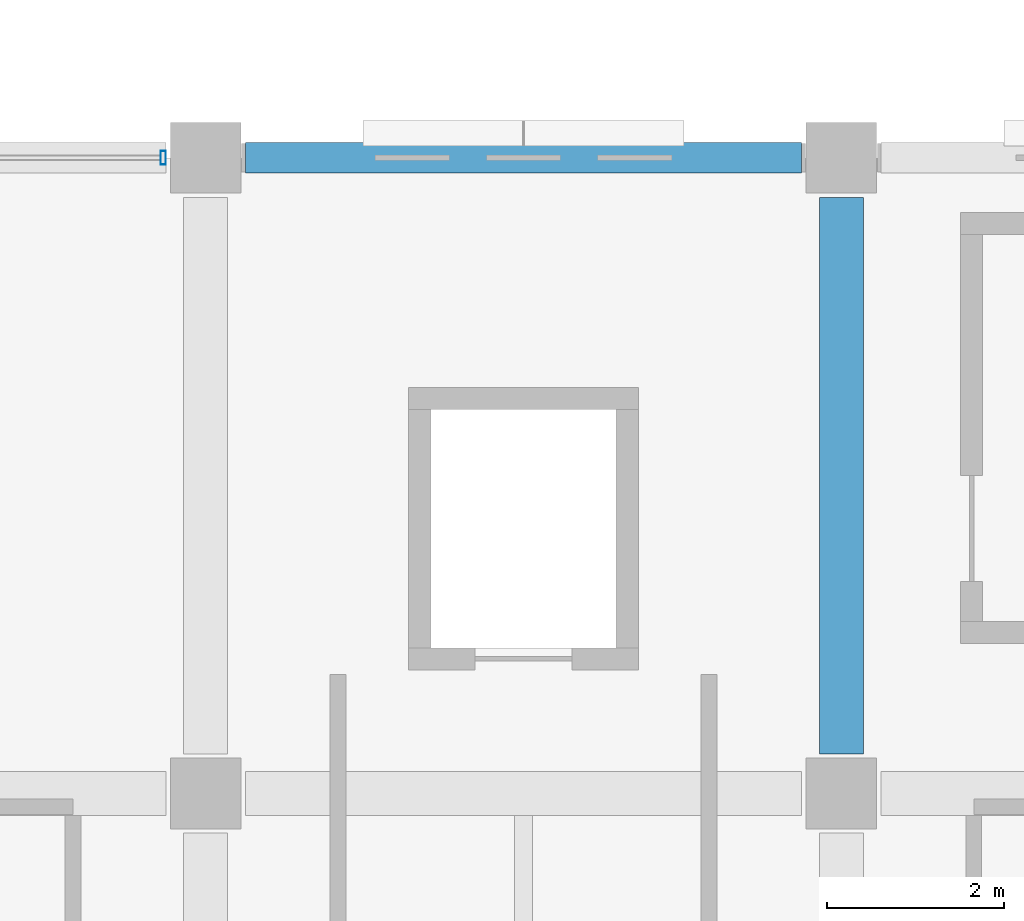
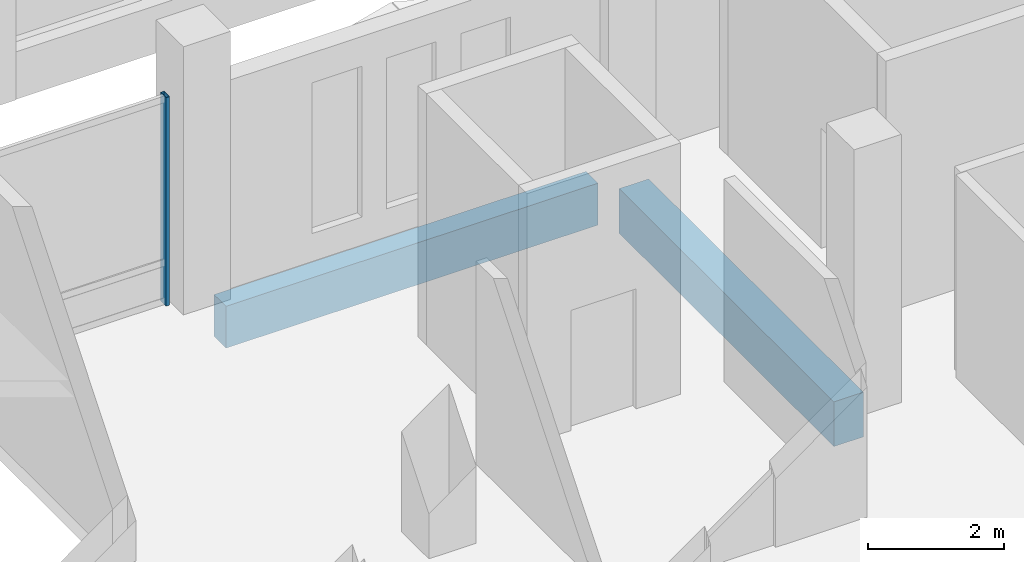
# One storey, part 94 of 220: 2 beams, 1 member, 1 element without a shape of its own.
"""IFC4 building model written with IfcOpenShell, lengths in metres."""

import ifcopenshell
import ifcopenshell.guid

model = None  # the IFC model being written
_history = None  # IfcOwnerHistory: only IFC2X3 demands one
_inside = {}  # id of a spatial element -> (the spatial element, [elements in it])
_under = {}  # id of a project, library or spatial element -> (it, [spatial elements below it])
_declared = {}  # id of a project -> (the project, [libraries it declares])
_typed = {}  # id of a type object -> (the type object, [elements of that type])
_made_of = {}  # id of a material, layer set ... -> (it, [elements and type objects made of it])


def new_model(schema):
    """Start an empty IFC model of exactly this schema.

    Asked for "IFC4X3", IfcOpenShell would pick the latest addendum, in which some entities
    have other attributes; the version numbers below select the first issue.
    IFC2X3 requires an IfcOwnerHistory on every rooted entity: one is made here for all.
    """
    global model, _history
    if schema == "IFC4X3":
        model = ifcopenshell.file(schema_version=(4, 3, 0, 0))
    else:
        model = ifcopenshell.file(schema=schema)
    _inside.clear()
    _under.clear()
    _declared.clear()
    _typed.clear()
    _made_of.clear()
    _history = None
    if model.schema == "IFC2X3":
        org = make("IfcOrganization", Name="unknown")
        user = make(
            "IfcPersonAndOrganization",
            ThePerson=make("IfcPerson", FamilyName="unknown"),
            TheOrganization=org,
        )
        app = make(
            "IfcApplication",
            ApplicationDeveloper=org,
            Version="unknown",
            ApplicationFullName="unknown",
            ApplicationIdentifier="unknown",
        )
        _history = make(
            "IfcOwnerHistory",
            OwningUser=user,
            OwningApplication=app,
            ChangeAction="ADDED",
            CreationDate=0,
        )
    return model


def make(cls, **values):
    """One entity of the class cls with the attributes given. An attribute that is None is left unset."""
    return model.create_entity(
        cls, **{name: value for name, value in values.items() if value is not None}
    )


def rooted(cls, **values):
    """An entity with a GlobalId (a new one), such as an element, a storey or a relation."""
    return make(cls, GlobalId=ifcopenshell.guid.new(), OwnerHistory=_history, **values)


def si_unit(unit_type, name, prefix=None):
    """IfcSIUnit, for example si_unit("LENGTHUNIT", "METRE", prefix="MILLI")."""
    return make("IfcSIUnit", UnitType=unit_type, Prefix=prefix, Name=name)


def assignment(units):
    """IfcUnitAssignment: the units of a project."""
    return None if units is None else make("IfcUnitAssignment", Units=units)


def point(xyz):
    """IfcCartesianPoint."""
    return None if xyz is None else make("IfcCartesianPoint", Coordinates=xyz)


def direction(xyz):
    """IfcDirection."""
    return None if xyz is None else make("IfcDirection", DirectionRatios=xyz)


def frame(location, z_axis=None, x_axis=None):
    """IfcAxis2Placement3D, a coordinate frame: its origin and axes. An axis left out is left unset."""
    return make(
        "IfcAxis2Placement3D",
        Location=point(location),
        Axis=direction(z_axis),
        RefDirection=direction(x_axis),
    )


def frame_2d(location, x_axis=None):
    """IfcAxis2Placement2D, a coordinate frame in the plane: its origin and x axis."""
    return make(
        "IfcAxis2Placement2D", Location=point(location), RefDirection=direction(x_axis)
    )


def origin():
    """The frame at (0, 0, 0) with its axes left unset."""
    return frame((0.0, 0.0, 0.0))


def origin_2d():
    """The frame at (0, 0) in the plane with its x axis left unset."""
    return frame_2d((0.0, 0.0))


def place(relative_to, where):
    """IfcLocalPlacement: puts the frame where relative to a parent placement (None: the world)."""
    return make(
        "IfcLocalPlacement", PlacementRelTo=relative_to, RelativePlacement=where
    )


def context(
    kind, dimensions, precision=None, world=None, true_north=None, identifier=None
):
    """IfcGeometricRepresentationContext, for example the 3D "Model" context."""
    return make(
        "IfcGeometricRepresentationContext",
        ContextIdentifier=identifier,
        ContextType=kind,
        CoordinateSpaceDimension=dimensions,
        Precision=precision,
        WorldCoordinateSystem=world,
        TrueNorth=true_north,
    )


def subcontext(parent, identifier, kind, view, scale=None):
    """IfcGeometricRepresentationSubContext, for example "Body" below "Model"."""
    return make(
        "IfcGeometricRepresentationSubContext",
        ContextIdentifier=identifier,
        ContextType=kind,
        ParentContext=parent,
        TargetScale=scale,
        TargetView=view,
    )


def project(units=None, contexts=None):
    """IfcProject with its units and contexts."""
    return rooted(
        "IfcProject",
        Name="project",
        RepresentationContexts=contexts,
        UnitsInContext=assignment(units),
    )


def spatial(cls, under=None, at=None, **own):
    """A site, building, storey or space (cls), placed at a placement, below another one or the project."""
    s = rooted(cls, ObjectPlacement=at, **own)
    if under is not None:
        _under.setdefault(under.id(), (under, []))[1].append(s)
    return s


def profile(cls, at=None, kind="AREA", **sizes):
    """A parametric profile (cls). Its sizes go by their IFC names, for example OverallWidth=200.0."""
    return make(cls, ProfileType=kind, Position=at, **sizes)


def rectangle(**sizes):
    """IfcRectangleProfileDef."""
    return profile("IfcRectangleProfileDef", **sizes)


def hollow_rectangle(**sizes):
    """IfcRectangleHollowProfileDef."""
    return profile("IfcRectangleHollowProfileDef", **sizes)


def extrude(swept, where, along, depth):
    """IfcExtrudedAreaSolid: the profile swept, set in the frame where, extruded along a direction by depth."""
    return make(
        "IfcExtrudedAreaSolid",
        SweptArea=swept,
        Position=where,
        ExtrudedDirection=direction(along),
        Depth=depth,
    )


def shape(context_of_items, identifier, shape_type, items):
    """IfcShapeRepresentation: the items that make up one representation, for example the "Body"."""
    return make(
        "IfcShapeRepresentation",
        ContextOfItems=context_of_items,
        RepresentationIdentifier=identifier,
        RepresentationType=shape_type,
        Items=items,
    )


def material(Name=None, Category=None):
    """IfcMaterial."""
    return make("IfcMaterial", Name=Name, Category=Category)


def material_profile(
    of_material, cross_section, Name=None, Category=None, Priority=None
):
    """IfcMaterialProfile: a cross section and its material."""
    return make(
        "IfcMaterialProfile",
        Name=Name,
        Material=of_material,
        Profile=cross_section,
        Priority=Priority,
        Category=Category,
    )


def profile_set(profiles, Name=None, composite=None):
    """IfcMaterialProfileSet."""
    return make(
        "IfcMaterialProfileSet",
        Name=Name,
        MaterialProfiles=profiles,
        CompositeProfile=composite,
    )


def made_of(thing, what):
    """Note that an element or type object is made of a material, layer set ...; save() writes the relation."""
    if what is not None:
        _made_of.setdefault(what.id(), (what, []))[1].append(thing)
    return thing


def type_object(cls, material=None, **own):
    """A type object (cls), such as IfcWallType, which elements share."""
    return made_of(rooted(cls, **own), material)


def element(
    cls,
    number,
    at=None,
    inside=None,
    cuts=None,
    type_object=None,
    material=None,
    context=None,
    identifier="Body",
    shape_type=None,
    held_by="IfcProductDefinitionShape",
    body=None,
    shapes=None,
    **own,
):
    """One element of the class cls, such as IfcWall. Its Tag is "e" and its number.

    at: its placement. inside: the storey or other place that contains it. cuts: it is an
    opening in that element (IfcRelVoidsElement). A single representation is given by context,
    identifier, shape_type and body (its items); several are given by shapes. held_by: the class
    of the entity that holds the representations. save() writes the other relations.
    """
    e = rooted(cls, Tag="e%d" % number, ObjectPlacement=at, **own)
    if body is not None:
        shapes = [shape(context, identifier, shape_type, body)]
    if shapes is not None:
        e.Representation = make(held_by, Representations=shapes)
    if inside is not None:
        _inside.setdefault(inside.id(), (inside, []))[1].append(e)
    if cuts is not None:
        rooted(
            "IfcRelVoidsElement", RelatingBuildingElement=cuts, RelatedOpeningElement=e
        )
    if type_object is not None:
        _typed.setdefault(type_object.id(), (type_object, []))[1].append(e)
    return made_of(e, material)


def aggregate(whole, parts):
    """IfcRelAggregates: a whole, such as a stair, and the parts it consists of."""
    return rooted("IfcRelAggregates", RelatingObject=whole, RelatedObjects=parts)


def save(model, path):
    """Write the relations noted so far, then the file.

    IfcRelAggregates (storeys below a building ...), IfcRelContainedInSpatialStructure (elements
    in a storey), IfcRelDefinesByType, IfcRelAssociatesMaterial and IfcRelDeclares: one each for
    every whole, place, type object, material and project.
    """
    for whole, parts in _under.values():
        aggregate(whole, parts)
    for where, things in _inside.values():
        rooted(
            "IfcRelContainedInSpatialStructure",
            RelatedElements=things,
            RelatingStructure=where,
        )
    for kind, things in _typed.values():
        rooted("IfcRelDefinesByType", RelatedObjects=things, RelatingType=kind)
    for what, things in _made_of.values():
        rooted("IfcRelAssociatesMaterial", RelatedObjects=things, RelatingMaterial=what)
    for by, libraries in _declared.values():
        rooted("IfcRelDeclares", RelatingContext=by, RelatedDefinitions=libraries)
    model.write(path)


model = new_model("IFC4")

# Units and contexts
model_context = context("Model", 3, precision=1e-05, world=origin(), true_north=direction((0.0, 1.0)))
body_context = subcontext(model_context, "Body", "Model", "MODEL_VIEW")
ifc_project = project(units=[si_unit("LENGTHUNIT", "METRE"), si_unit("AREAUNIT", "SQUARE_METRE"), si_unit("VOLUMEUNIT", "CUBIC_METRE"), si_unit("PLANEANGLEUNIT", "RADIAN"), si_unit("MASSUNIT", "GRAM", prefix="KILO")], contexts=[model_context])

# Site, building, storey
site_placement = place(None, origin())
site = spatial("IfcSite", under=ifc_project, at=site_placement, CompositionType="ELEMENT")
building_placement = place(site_placement, origin())
building = spatial("IfcBuilding", under=site, at=building_placement, Name="Cendralis Lancet Convention Centre", CompositionType="ELEMENT")
storey_placement = place(building_placement, frame((0.0, 0.0, 5.39990234375)))
storey = spatial("IfcBuildingStorey", under=building, at=storey_placement, Name="L01", CompositionType="ELEMENT", Elevation=5.39990234375)

# Curtain wall, member
ifc_material_1 = material(Name="Anodised bronze architectural aluminium", Category="aluminium")
curtain_wall_type = type_object("IfcCurtainWallType", Name="ARC-CW-CL02", PredefinedType="USERDEFINED", material=ifc_material_1)
curtain_wall_placement = place(storey_placement, origin())
curtain_wall = element("IfcCurtainWall", 1, at=curtain_wall_placement, inside=storey, type_object=curtain_wall_type, Name="L01 Curtain Wall CW-CL2 #182", ObjectType="CURTAIN WALL", PredefinedType="USERDEFINED")
ifc_material_profile_1 = material_profile(ifc_material_1, hollow_rectangle(XDim=0.06005859375, YDim=0.159912109375, WallThickness=0.00390625, at=origin_2d()), Name="AL-MULL 60x160x4.0")
ifc_profile_set_1 = profile_set([ifc_material_profile_1], Name="Anodised bronze architectural aluminium")
member_type = type_object("IfcMemberType", Name="ARC-CW-ML01", PredefinedType="MULLION", material=ifc_profile_set_1)
member_placement = place(storey_placement, frame((160.320068359375, 36.0, 0.0), z_axis=(0.0, 0.0, 1.0), x_axis=(1.0, 0.0, 0.0)))
member = element("IfcMember", 2, at=member_placement, type_object=member_type, Name="Mullion CW2-CW-CL2-L01-182-M2", PredefinedType="MULLION", context=body_context, shape_type="SweptSolid", body=[
    extrude(hollow_rectangle(XDim=0.06005859375, YDim=0.159912109375, WallThickness=0.00390625, at=origin_2d()), origin(), (0.0, 0.0, 1.0), 3.735107421875),
])
aggregate(curtain_wall, [member])

# Beams
ifc_material_2 = material(Name="Concrete G35 (C35/45)", Category="concrete")
ifc_material_profile_2 = material_profile(ifc_material_2, rectangle(XDim=0.5, YDim=0.800048828125, at=origin_2d()), Name="RCB 500x800")
ifc_profile_set_2 = profile_set([ifc_material_profile_2], Name="Concrete G35 (C35/45)")
beam_type_1 = type_object("IfcBeamType", Name="STR-BM-BG09", PredefinedType="BEAM", material=ifc_profile_set_2)
beam_1_placement = place(storey_placement, frame((168.0, 29.25, -0.679931640625), z_axis=(0.0, 1.0, 0.0), x_axis=(-1.0, 0.0, 0.0)))
element("IfcBeam", 3, at=beam_1_placement, inside=storey, type_object=beam_type_1, Name="L01 Beam BG09 #0199", PredefinedType="BEAM", context=body_context, shape_type="SweptSolid", body=[
    extrude(rectangle(XDim=0.5, YDim=0.800048828125, at=origin_2d()), origin(), (0.0, 0.0, 1.0), 6.300048828125),
])
ifc_material_3 = material(Name="Concrete G40 (C40/50)", Category="concrete")
ifc_material_profile_3 = material_profile(ifc_material_3, rectangle(XDim=0.35009765625, YDim=0.75, at=origin_2d()), Name="RCB 350x750")
ifc_profile_set_3 = profile_set([ifc_material_profile_3], Name="Concrete G40 (C40/50)")
beam_type_2 = type_object("IfcBeamType", Name="STR-SP-SP01", PredefinedType="SPANDREL", material=ifc_profile_set_3)
beam_2_placement = place(storey_placement, frame((161.25, 36.0, -0.65478515625), z_axis=(1.0, 0.0, 0.0), x_axis=(0.0, 1.0, 0.0)))
element("IfcBeam", 4, at=beam_2_placement, inside=storey, type_object=beam_type_2, Name="L01 Beam SP01 #0171", PredefinedType="SPANDREL", context=body_context, shape_type="SweptSolid", body=[
    extrude(rectangle(XDim=0.35009765625, YDim=0.75, at=origin_2d()), origin(), (0.0, 0.0, 1.0), 6.300048828125),
])

save(model, "model.ifc")
